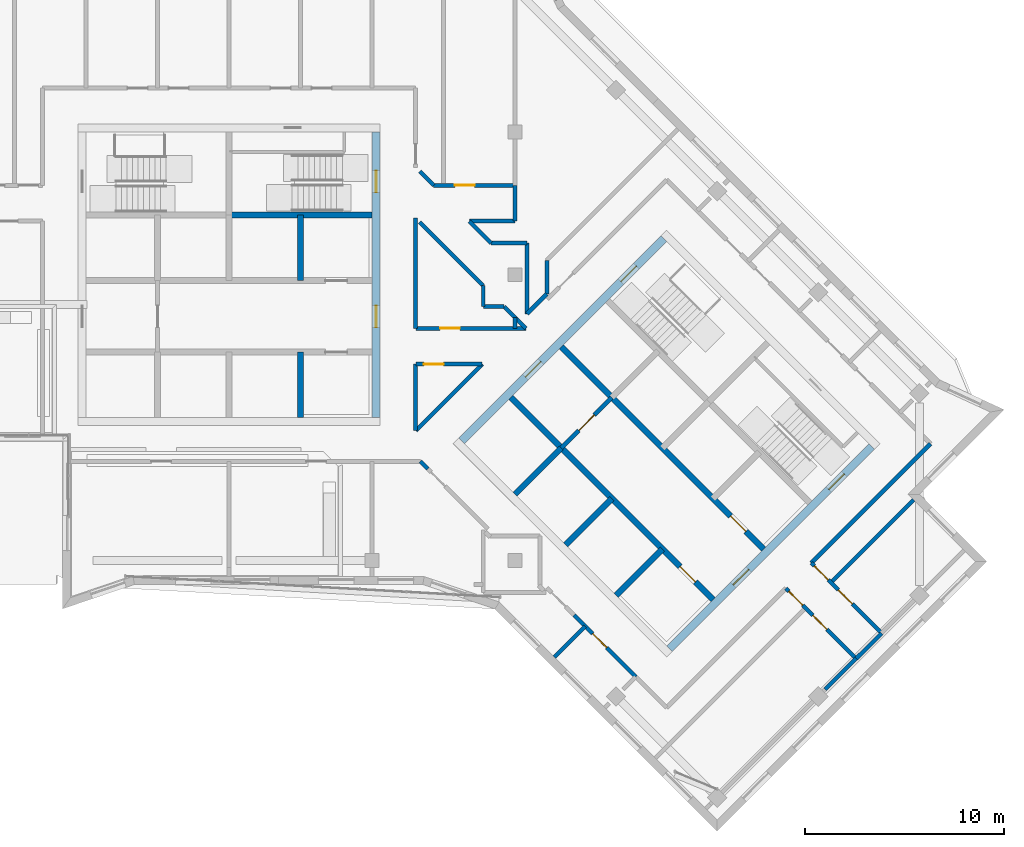
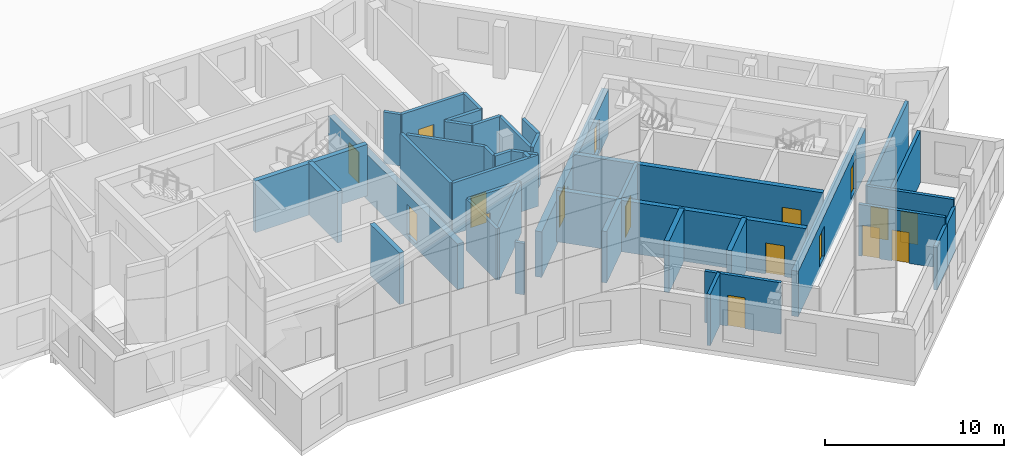
# One storey, part 13 of 20: 40 walls, 17 doors, 17 openings.
"""IFC4 building model written with IfcOpenShell, lengths in metres."""

import ifcopenshell
import ifcopenshell.guid

model = None  # the IFC model being written
_history = None  # IfcOwnerHistory: only IFC2X3 demands one
_inside = {}  # id of a spatial element -> (the spatial element, [elements in it])
_under = {}  # id of a project, library or spatial element -> (it, [spatial elements below it])
_declared = {}  # id of a project -> (the project, [libraries it declares])
_typed = {}  # id of a type object -> (the type object, [elements of that type])
_made_of = {}  # id of a material, layer set ... -> (it, [elements and type objects made of it])


def new_model(schema):
    """Start an empty IFC model of exactly this schema.

    Asked for "IFC4X3", IfcOpenShell would pick the latest addendum, in which some entities
    have other attributes; the version numbers below select the first issue.
    IFC2X3 requires an IfcOwnerHistory on every rooted entity: one is made here for all.
    """
    global model, _history
    if schema == "IFC4X3":
        model = ifcopenshell.file(schema_version=(4, 3, 0, 0))
    else:
        model = ifcopenshell.file(schema=schema)
    _inside.clear()
    _under.clear()
    _declared.clear()
    _typed.clear()
    _made_of.clear()
    _history = None
    if model.schema == "IFC2X3":
        org = make("IfcOrganization", Name="unknown")
        user = make(
            "IfcPersonAndOrganization",
            ThePerson=make("IfcPerson", FamilyName="unknown"),
            TheOrganization=org,
        )
        app = make(
            "IfcApplication",
            ApplicationDeveloper=org,
            Version="unknown",
            ApplicationFullName="unknown",
            ApplicationIdentifier="unknown",
        )
        _history = make(
            "IfcOwnerHistory",
            OwningUser=user,
            OwningApplication=app,
            ChangeAction="ADDED",
            CreationDate=0,
        )
    return model


def make(cls, **values):
    """One entity of the class cls with the attributes given. An attribute that is None is left unset."""
    return model.create_entity(
        cls, **{name: value for name, value in values.items() if value is not None}
    )


def rooted(cls, **values):
    """An entity with a GlobalId (a new one), such as an element, a storey or a relation."""
    return make(cls, GlobalId=ifcopenshell.guid.new(), OwnerHistory=_history, **values)


def si_unit(unit_type, name, prefix=None):
    """IfcSIUnit, for example si_unit("LENGTHUNIT", "METRE", prefix="MILLI")."""
    return make("IfcSIUnit", UnitType=unit_type, Prefix=prefix, Name=name)


def assignment(units):
    """IfcUnitAssignment: the units of a project."""
    return None if units is None else make("IfcUnitAssignment", Units=units)


def point(xyz):
    """IfcCartesianPoint."""
    return None if xyz is None else make("IfcCartesianPoint", Coordinates=xyz)


def direction(xyz):
    """IfcDirection."""
    return None if xyz is None else make("IfcDirection", DirectionRatios=xyz)


def frame(location, z_axis=None, x_axis=None):
    """IfcAxis2Placement3D, a coordinate frame: its origin and axes. An axis left out is left unset."""
    return make(
        "IfcAxis2Placement3D",
        Location=point(location),
        Axis=direction(z_axis),
        RefDirection=direction(x_axis),
    )


def frame_2d(location, x_axis=None):
    """IfcAxis2Placement2D, a coordinate frame in the plane: its origin and x axis."""
    return make(
        "IfcAxis2Placement2D", Location=point(location), RefDirection=direction(x_axis)
    )


def origin():
    """The frame at (0, 0, 0) with its axes left unset."""
    return frame((0.0, 0.0, 0.0))


def place(relative_to, where):
    """IfcLocalPlacement: puts the frame where relative to a parent placement (None: the world)."""
    return make(
        "IfcLocalPlacement", PlacementRelTo=relative_to, RelativePlacement=where
    )


def context(
    kind, dimensions, precision=None, world=None, true_north=None, identifier=None
):
    """IfcGeometricRepresentationContext, for example the 3D "Model" context."""
    return make(
        "IfcGeometricRepresentationContext",
        ContextIdentifier=identifier,
        ContextType=kind,
        CoordinateSpaceDimension=dimensions,
        Precision=precision,
        WorldCoordinateSystem=world,
        TrueNorth=true_north,
    )


def subcontext(parent, identifier, kind, view, scale=None):
    """IfcGeometricRepresentationSubContext, for example "Body" below "Model"."""
    return make(
        "IfcGeometricRepresentationSubContext",
        ContextIdentifier=identifier,
        ContextType=kind,
        ParentContext=parent,
        TargetScale=scale,
        TargetView=view,
    )


def project(units=None, contexts=None):
    """IfcProject with its units and contexts."""
    return rooted(
        "IfcProject",
        Name="project",
        RepresentationContexts=contexts,
        UnitsInContext=assignment(units),
    )


def spatial(cls, under=None, at=None, **own):
    """A site, building, storey or space (cls), placed at a placement, below another one or the project."""
    s = rooted(cls, ObjectPlacement=at, **own)
    if under is not None:
        _under.setdefault(under.id(), (under, []))[1].append(s)
    return s


def polyline(points):
    """IfcPolyline through the points."""
    return make("IfcPolyline", Points=[point(p) for p in points])


def profile(cls, at=None, kind="AREA", **sizes):
    """A parametric profile (cls). Its sizes go by their IFC names, for example OverallWidth=200.0."""
    return make(cls, ProfileType=kind, Position=at, **sizes)


def rectangle(**sizes):
    """IfcRectangleProfileDef."""
    return profile("IfcRectangleProfileDef", **sizes)


def outline(outer, holes=None, kind="AREA"):
    """IfcArbitraryClosedProfileDef: a profile drawn as a closed curve; with holes, ...WithVoids."""
    if holes is None:
        return make("IfcArbitraryClosedProfileDef", ProfileType=kind, OuterCurve=outer)
    return make(
        "IfcArbitraryProfileDefWithVoids",
        ProfileType=kind,
        OuterCurve=outer,
        InnerCurves=holes,
    )


def extrude(swept, where, along, depth):
    """IfcExtrudedAreaSolid: the profile swept, set in the frame where, extruded along a direction by depth."""
    return make(
        "IfcExtrudedAreaSolid",
        SweptArea=swept,
        Position=where,
        ExtrudedDirection=direction(along),
        Depth=depth,
    )


def shape(context_of_items, identifier, shape_type, items):
    """IfcShapeRepresentation: the items that make up one representation, for example the "Body"."""
    return make(
        "IfcShapeRepresentation",
        ContextOfItems=context_of_items,
        RepresentationIdentifier=identifier,
        RepresentationType=shape_type,
        Items=items,
    )


def material(Name=None, Category=None):
    """IfcMaterial."""
    return make("IfcMaterial", Name=Name, Category=Category)


def layer(
    of_material, thickness, ventilated=None, Name=None, Category=None, Priority=None
):
    """IfcMaterialLayer: one layer of a wall or slab, of a material (None: an air gap)."""
    return make(
        "IfcMaterialLayer",
        Material=of_material,
        LayerThickness=thickness,
        IsVentilated=ventilated,
        Name=Name,
        Category=Category,
        Priority=Priority,
    )


def layer_set(layers, Name=None):
    """IfcMaterialLayerSet."""
    return make("IfcMaterialLayerSet", MaterialLayers=layers, LayerSetName=Name)


def made_of(thing, what):
    """Note that an element or type object is made of a material, layer set ...; save() writes the relation."""
    if what is not None:
        _made_of.setdefault(what.id(), (what, []))[1].append(thing)
    return thing


def type_object(cls, material=None, **own):
    """A type object (cls), such as IfcWallType, which elements share."""
    return made_of(rooted(cls, **own), material)


def element(
    cls,
    number,
    at=None,
    inside=None,
    cuts=None,
    type_object=None,
    material=None,
    context=None,
    identifier="Body",
    shape_type=None,
    held_by="IfcProductDefinitionShape",
    body=None,
    shapes=None,
    **own,
):
    """One element of the class cls, such as IfcWall. Its Tag is "e" and its number.

    at: its placement. inside: the storey or other place that contains it. cuts: it is an
    opening in that element (IfcRelVoidsElement). A single representation is given by context,
    identifier, shape_type and body (its items); several are given by shapes. held_by: the class
    of the entity that holds the representations. save() writes the other relations.
    """
    e = rooted(cls, Tag="e%d" % number, ObjectPlacement=at, **own)
    if body is not None:
        shapes = [shape(context, identifier, shape_type, body)]
    if shapes is not None:
        e.Representation = make(held_by, Representations=shapes)
    if inside is not None:
        _inside.setdefault(inside.id(), (inside, []))[1].append(e)
    if cuts is not None:
        rooted(
            "IfcRelVoidsElement", RelatingBuildingElement=cuts, RelatedOpeningElement=e
        )
    if type_object is not None:
        _typed.setdefault(type_object.id(), (type_object, []))[1].append(e)
    return made_of(e, material)


def fill(opening, filler):
    """IfcRelFillsElement: the door or window that sits in an opening."""
    return rooted(
        "IfcRelFillsElement",
        RelatingOpeningElement=opening,
        RelatedBuildingElement=filler,
    )


def aggregate(whole, parts):
    """IfcRelAggregates: a whole, such as a stair, and the parts it consists of."""
    return rooted("IfcRelAggregates", RelatingObject=whole, RelatedObjects=parts)


def save(model, path):
    """Write the relations noted so far, then the file.

    IfcRelAggregates (storeys below a building ...), IfcRelContainedInSpatialStructure (elements
    in a storey), IfcRelDefinesByType, IfcRelAssociatesMaterial and IfcRelDeclares: one each for
    every whole, place, type object, material and project.
    """
    for whole, parts in _under.values():
        aggregate(whole, parts)
    for where, things in _inside.values():
        rooted(
            "IfcRelContainedInSpatialStructure",
            RelatedElements=things,
            RelatingStructure=where,
        )
    for kind, things in _typed.values():
        rooted("IfcRelDefinesByType", RelatedObjects=things, RelatingType=kind)
    for what, things in _made_of.values():
        rooted("IfcRelAssociatesMaterial", RelatedObjects=things, RelatingMaterial=what)
    for by, libraries in _declared.values():
        rooted("IfcRelDeclares", RelatingContext=by, RelatedDefinitions=libraries)
    model.write(path)


model = new_model("IFC4")

# Units and contexts
model_context = context("Model", 3, precision=1e-05, world=origin(), true_north=direction((0.0, 1.0)))
body_context = subcontext(model_context, "Body", "Model", "MODEL_VIEW")
ifc_project = project(units=[si_unit("LENGTHUNIT", "METRE"), si_unit("AREAUNIT", "SQUARE_METRE"), si_unit("VOLUMEUNIT", "CUBIC_METRE"), si_unit("PLANEANGLEUNIT", "RADIAN"), si_unit("MASSUNIT", "GRAM", prefix="KILO")], contexts=[model_context])

# Site, building, storey
site_placement = place(None, origin())
site = spatial("IfcSite", under=ifc_project, at=site_placement, CompositionType="ELEMENT")
building_placement = place(site_placement, origin())
building = spatial("IfcBuilding", under=site, at=building_placement, Name="Windrow Commons", CompositionType="ELEMENT")
storey_placement = place(building_placement, frame((0.0, 0.0, 290.6)))
storey = spatial("IfcBuildingStorey", under=building, at=storey_placement, Name="L79", CompositionType="ELEMENT", Elevation=290.6)

# Wall, opening, door
ifc_material_1 = material(Name="Blockwork partition", Category="masonry")
ifc_layer_1 = layer(ifc_material_1, 0.2)
ifc_layer_set_1 = layer_set([ifc_layer_1], Name="Fire lobby partition 200")
wall_type_1 = type_object("IfcWallType", Name="Fire lobby partition 200", PredefinedType="PARTITIONING", material=ifc_layer_set_1)
wall_1_placement = place(storey_placement, frame((81.5335, 48.8776, 0.0), z_axis=(0.0, 0.0, 1.0), x_axis=(0.707092892, 0.7071206701, 0.0)))
wall_1 = element("IfcWall", 1, at=wall_1_placement, inside=storey, type_object=wall_type_1, Name="W-core-lobby-B-L79", PredefinedType="PARTITIONING", context=body_context, shape_type="SweptSolid", body=[
    extrude(rectangle(XDim=3.6, YDim=0.2, at=frame_2d((1.8, 0.0))), origin(), (0.0, 0.0, 1.0), 3.5),
])
opening_1_placement = place(wall_1_placement, frame((1.25, 0.0, 0.0)))
opening_1 = element("IfcOpeningElement", 2, at=opening_1_placement, cuts=wall_1, Name="Opening D6", PredefinedType="OPENING", context=body_context, shape_type="SweptSolid", body=[
    extrude(rectangle(XDim=1.1, YDim=2.1, at=frame_2d((0.55, 1.05))), frame((0.0, 0.11, 0.0), z_axis=(0.0, -1.0, 0.0), x_axis=(1.0, 0.0, 0.0)), (0.0, 0.0, 1.0), 0.22),
])
ifc_material_2 = material(Name="Steel fire door leaf", Category="steel")
door_type_1 = type_object("IfcDoorType", Name="Core lobby door 1100", OperationType="SINGLE_SWING_LEFT", PredefinedType="DOOR", material=ifc_material_2)
door_1_placement = place(opening_1_placement, origin())
door_1 = element("IfcDoor", 3, at=door_1_placement, inside=storey, type_object=door_type_1, Name="Lift lobby door", OperationType="DOUBLE_DOOR_SINGLE_SWING", OverallHeight=2.1, OverallWidth=1.1, PredefinedType="DOOR", context=body_context, shape_type="SweptSolid", body=[
    extrude(rectangle(XDim=1.1, YDim=2.1, at=frame_2d((0.55, 1.05))), frame((0.0, 0.025, 0.0), z_axis=(0.0, -1.0, 0.0), x_axis=(1.0, 0.0, 0.0)), (0.0, 0.0, 1.0), 0.05),
])
fill(opening_1, door_1)

# Walls
ifc_material_3 = material(Name="Blockwork partition", Category="masonry")
ifc_layer_2 = layer(ifc_material_3, 0.2)
ifc_layer_set_2 = layer_set([ifc_layer_2], Name="IW-CORRIDOR-200")
wall_type_2 = type_object("IfcWallType", Name="IW-CORRIDOR-200", PredefinedType="PARTITIONING", material=ifc_layer_set_2)
wall_2_placement = place(storey_placement, frame((94.1195, 43.0805, 0.0), z_axis=(0.0, 0.0, 1.0), x_axis=(0.7071067812, 0.7071067812, 0.0)))
element("IfcWall", 4, at=wall_2_placement, inside=storey, type_object=wall_type_2, Name="W-L79-W012", PredefinedType="PARTITIONING", context=body_context, shape_type="SweptSolid", body=[
    extrude(rectangle(XDim=8.4994, YDim=0.2, at=frame_2d((4.2497, 0.0))), origin(), (0.0, 0.0, 1.0), 3.5),
])
wall_3_placement = place(storey_placement, frame((74.2, 54.902, 0.0), z_axis=(0.0, 0.0, 1.0), x_axis=(0.0, 1.0, 0.0)))
element("IfcWall", 5, at=wall_3_placement, inside=storey, type_object=wall_type_2, Name="W-L79-W025", PredefinedType="PARTITIONING", context=body_context, shape_type="SweptSolid", body=[
    extrude(rectangle(XDim=5.55, YDim=0.2, at=frame_2d((2.775, 0.0))), origin(), (0.0, 0.0, 1.0), 3.5),
])

# Wall, opening, door
wall_4_placement = place(storey_placement, frame((74.202, 54.9, 0.0), z_axis=(0.0, 0.0, 1.0), x_axis=(1.0, 0.0, 0.0)))
wall_4 = element("IfcWall", 6, at=wall_4_placement, inside=storey, type_object=wall_type_2, Name="W-L79-W026", PredefinedType="PARTITIONING", context=body_context, shape_type="SweptSolid", body=[
    extrude(rectangle(XDim=5.55, YDim=0.2, at=frame_2d((2.775, 0.0))), origin(), (0.0, 0.0, 1.0), 3.5),
])
opening_2_placement = place(wall_4_placement, frame((1.2223, 0.0, 0.0)))
opening_2 = element("IfcOpeningElement", 7, at=opening_2_placement, cuts=wall_4, Name="Opening D410F", PredefinedType="OPENING", context=body_context, shape_type="SweptSolid", body=[
    extrude(rectangle(XDim=1.0, YDim=2.1, at=frame_2d((0.5, 1.05))), frame((0.0, 0.11, 0.0), z_axis=(0.0, -1.0, 0.0), x_axis=(1.0, 0.0, 0.0)), (0.0, 0.0, 1.0), 0.22),
])
ifc_material_4 = material(Name="Timber door leaf", Category="wood")
door_type_2 = type_object("IfcDoorType", Name="DT-SERVICE-1000", OperationType="SINGLE_SWING_LEFT", PredefinedType="DOOR", material=ifc_material_4)
door_2_placement = place(opening_2_placement, origin())
door_2 = element("IfcDoor", 8, at=door_2_placement, inside=storey, type_object=door_type_2, Name="D-L79-D004", OperationType="SINGLE_SWING_LEFT", OverallHeight=2.1, OverallWidth=1.0, PredefinedType="DOOR", context=body_context, shape_type="SweptSolid", body=[
    extrude(rectangle(XDim=1.0, YDim=2.1, at=frame_2d((0.5, 1.05))), frame((0.0, 0.025, 0.0), z_axis=(0.0, -1.0, 0.0), x_axis=(1.0, 0.0, 0.0)), (0.0, 0.0, 1.0), 0.05),
])
fill(opening_2, door_2)

# Wall, openings, doors
wall_5_placement = place(storey_placement, frame((94.1235, 43.0835, 0.0), z_axis=(0.0, 0.0, 1.0), x_axis=(0.7071067812, -0.7071067812, 0.0)))
wall_5 = element("IfcWall", 9, at=wall_5_placement, inside=storey, type_object=wall_type_2, Name="W-L79-W027", PredefinedType="PARTITIONING", context=body_context, shape_type="SweptSolid", body=[
    extrude(rectangle(XDim=5.0007, YDim=0.2, at=frame_2d((2.5004, 0.0))), origin(), (0.0, 0.0, 1.0), 3.5),
])
opening_3_placement = place(wall_5_placement, frame((0.2061, 0.0, 0.0)))
opening_3 = element("IfcOpeningElement", 10, at=opening_3_placement, cuts=wall_5, Name="Opening D410F", PredefinedType="OPENING", context=body_context, shape_type="SweptSolid", body=[
    extrude(rectangle(XDim=1.0, YDim=2.1, at=frame_2d((0.5, 1.05))), frame((0.0, 0.11, 0.0), z_axis=(0.0, -1.0, 0.0), x_axis=(1.0, 0.0, 0.0)), (0.0, 0.0, 1.0), 0.22),
])
opening_4_placement = place(wall_5_placement, frame((1.9254, 0.0, 0.0)))
opening_4 = element("IfcOpeningElement", 11, at=opening_4_placement, cuts=wall_5, Name="Opening D410F", PredefinedType="OPENING", context=body_context, shape_type="SweptSolid", body=[
    extrude(rectangle(XDim=1.0, YDim=2.1, at=frame_2d((0.5, 1.05))), frame((0.0, 0.11, 0.0), z_axis=(0.0, -1.0, 0.0), x_axis=(1.0, 0.0, 0.0)), (0.0, 0.0, 1.0), 0.22),
])
door_3_placement = place(opening_3_placement, origin())
door_3 = element("IfcDoor", 12, at=door_3_placement, inside=storey, type_object=door_type_2, Name="D-L79-D023", OperationType="SINGLE_SWING_LEFT", OverallHeight=2.1, OverallWidth=1.0, PredefinedType="DOOR", context=body_context, shape_type="SweptSolid", body=[
    extrude(rectangle(XDim=1.0, YDim=2.1, at=frame_2d((0.5, 1.05))), frame((0.0, 0.025, 0.0), z_axis=(0.0, -1.0, 0.0), x_axis=(1.0, 0.0, 0.0)), (0.0, 0.0, 1.0), 0.05),
])
fill(opening_3, door_3)
door_4_placement = place(opening_4_placement, origin())
door_4 = element("IfcDoor", 13, at=door_4_placement, inside=storey, type_object=door_type_2, Name="D-L79-D032", OperationType="SINGLE_SWING_RIGHT", OverallHeight=2.1, OverallWidth=1.0, PredefinedType="DOOR", context=body_context, shape_type="SweptSolid", body=[
    extrude(rectangle(XDim=1.0, YDim=2.1, at=frame_2d((0.5, 1.05))), frame((0.0, 0.025, 0.0), z_axis=(0.0, -1.0, 0.0), x_axis=(1.0, 0.0, 0.0)), (0.0, 0.0, 1.0), 0.05),
])
fill(opening_4, door_4)

wall_6_placement = place(storey_placement, frame((92.8446, 41.8026, 0.0), z_axis=(0.0, 0.0, 1.0), x_axis=(0.7071067812, -0.7071067812, 0.0)))
wall_6 = element("IfcWall", 14, at=wall_6_placement, inside=storey, type_object=wall_type_2, Name="W-L79-W028", PredefinedType="PARTITIONING", context=body_context, shape_type="SweptSolid", body=[
    extrude(rectangle(XDim=4.9978, YDim=0.2, at=frame_2d((2.4989, 0.0))), origin(), (0.0, 0.0, 1.0), 3.5),
])
opening_5_placement = place(wall_6_placement, frame((0.2047, 0.0, 0.0)))
opening_5 = element("IfcOpeningElement", 15, at=opening_5_placement, cuts=wall_6, Name="Opening D410F", PredefinedType="OPENING", context=body_context, shape_type="SweptSolid", body=[
    extrude(rectangle(XDim=1.0, YDim=2.1, at=frame_2d((0.5, 1.05))), frame((0.0, 0.11, 0.0), z_axis=(0.0, -1.0, 0.0), x_axis=(1.0, 0.0, 0.0)), (0.0, 0.0, 1.0), 0.22),
])
opening_6_placement = place(wall_6_placement, frame((1.924, 0.0, 0.0)))
opening_6 = element("IfcOpeningElement", 16, at=opening_6_placement, cuts=wall_6, Name="Opening D410F", PredefinedType="OPENING", context=body_context, shape_type="SweptSolid", body=[
    extrude(rectangle(XDim=1.0, YDim=2.1, at=frame_2d((0.5, 1.05))), frame((0.0, 0.11, 0.0), z_axis=(0.0, -1.0, 0.0), x_axis=(1.0, 0.0, 0.0)), (0.0, 0.0, 1.0), 0.22),
])
door_5_placement = place(opening_5_placement, origin())
door_5 = element("IfcDoor", 17, at=door_5_placement, inside=storey, type_object=door_type_2, Name="D-L79-D030", OperationType="SINGLE_SWING_RIGHT", OverallHeight=2.1, OverallWidth=1.0, PredefinedType="DOOR", context=body_context, shape_type="SweptSolid", body=[
    extrude(rectangle(XDim=1.0, YDim=2.1, at=frame_2d((0.5, 1.05))), frame((0.0, 0.025, 0.0), z_axis=(0.0, -1.0, 0.0), x_axis=(1.0, 0.0, 0.0)), (0.0, 0.0, 1.0), 0.05),
])
fill(opening_5, door_5)
door_6_placement = place(opening_6_placement, origin())
door_6 = element("IfcDoor", 18, at=door_6_placement, inside=storey, type_object=door_type_2, Name="D-L79-D031", OperationType="SINGLE_SWING_LEFT", OverallHeight=2.1, OverallWidth=1.0, PredefinedType="DOOR", context=body_context, shape_type="SweptSolid", body=[
    extrude(rectangle(XDim=1.0, YDim=2.1, at=frame_2d((0.5, 1.05))), frame((0.0, 0.025, 0.0), z_axis=(0.0, -1.0, 0.0), x_axis=(1.0, 0.0, 0.0)), (0.0, 0.0, 1.0), 0.05),
])
fill(opening_6, door_6)

# Walls
wall_7_placement = place(storey_placement, frame((74.2009, 49.7491, 0.0), z_axis=(0.0, 0.0, 1.0), x_axis=(0.7071067812, 0.7071067812, 0.0)))
element("IfcWall", 19, at=wall_7_placement, inside=storey, type_object=wall_type_2, Name="W-L79-W032", PredefinedType="PARTITIONING", context=body_context, shape_type="SweptSolid", body=[
    extrude(rectangle(XDim=4.7376, YDim=0.2, at=frame_2d((2.3688, 0.0))), origin(), (0.0, 0.0, 1.0), 3.5),
])
wall_8_placement = place(storey_placement, frame((74.3966, 60.2506, 0.0), z_axis=(0.0, 0.0, 1.0), x_axis=(0.7071067812, -0.7071067812, 0.0)))
element("IfcWall", 20, at=wall_8_placement, inside=storey, type_object=wall_type_2, Name="W-L79-W039", PredefinedType="PARTITIONING", context=body_context, shape_type="SweptSolid", body=[
    extrude(rectangle(XDim=4.5255, YDim=0.2, at=frame_2d((2.2628, 0.0))), origin(), (0.0, 0.0, 1.0), 3.5),
])

# Wall, opening, door
wall_9_placement = place(storey_placement, frame((75.1, 62.1, 0.0), z_axis=(0.0, 0.0, 1.0), x_axis=(1.0, 0.0, 0.0)))
wall_9 = element("IfcWall", 21, at=wall_9_placement, inside=storey, type_object=wall_type_2, Name="W-L79-W041", PredefinedType="PARTITIONING", context=body_context, shape_type="SweptSolid", body=[
    extrude(rectangle(XDim=4.1, YDim=0.2, at=frame_2d((2.05, 0.0))), origin(), (0.0, 0.0, 1.0), 3.5),
])
opening_7_placement = place(wall_9_placement, frame((1.0675, 0.0, 0.0)))
opening_7 = element("IfcOpeningElement", 22, at=opening_7_placement, cuts=wall_9, Name="Opening D410F", PredefinedType="OPENING", context=body_context, shape_type="SweptSolid", body=[
    extrude(rectangle(XDim=1.0, YDim=2.1, at=frame_2d((0.5, 1.05))), frame((0.0, 0.11, 0.0), z_axis=(0.0, -1.0, 0.0), x_axis=(1.0, 0.0, 0.0)), (0.0, 0.0, 1.0), 0.22),
])
door_7_placement = place(opening_7_placement, origin())
door_7 = element("IfcDoor", 23, at=door_7_placement, inside=storey, type_object=door_type_2, Name="D-L79-D015", OperationType="SINGLE_SWING_LEFT", OverallHeight=2.1, OverallWidth=1.0, PredefinedType="DOOR", context=body_context, shape_type="SweptSolid", body=[
    extrude(rectangle(XDim=1.0, YDim=2.1, at=frame_2d((0.5, 1.05))), frame((0.0, 0.025, 0.0), z_axis=(0.0, -1.0, 0.0), x_axis=(1.0, 0.0, 0.0)), (0.0, 0.0, 1.0), 0.05),
])
fill(opening_7, door_7)

wall_10_placement = place(storey_placement, frame((82.1803, 40.4603, 0.0), z_axis=(0.0, 0.0, 1.0), x_axis=(0.7071067812, -0.7071067812, 0.0)))
wall_10 = element("IfcWall", 24, at=wall_10_placement, inside=storey, type_object=wall_type_2, Name="W-L79-W044", PredefinedType="PARTITIONING", context=body_context, shape_type="SweptSolid", body=[
    extrude(rectangle(XDim=4.3911, YDim=0.2, at=frame_2d((2.1955, 0.0))), origin(), (0.0, 0.0, 1.0), 3.5),
])
opening_8_placement = place(wall_10_placement, frame((1.3156, 0.0, 0.0)))
opening_8 = element("IfcOpeningElement", 25, at=opening_8_placement, cuts=wall_10, Name="Opening D410F", PredefinedType="OPENING", context=body_context, shape_type="SweptSolid", body=[
    extrude(rectangle(XDim=1.0, YDim=2.1, at=frame_2d((0.5, 1.05))), frame((0.0, 0.11, 0.0), z_axis=(0.0, -1.0, 0.0), x_axis=(1.0, 0.0, 0.0)), (0.0, 0.0, 1.0), 0.22),
])
door_8_placement = place(opening_8_placement, origin())
door_8 = element("IfcDoor", 26, at=door_8_placement, inside=storey, type_object=door_type_2, Name="D-L79-D029", OperationType="SINGLE_SWING_LEFT", OverallHeight=2.1, OverallWidth=1.0, PredefinedType="DOOR", context=body_context, shape_type="SweptSolid", body=[
    extrude(rectangle(XDim=1.0, YDim=2.1, at=frame_2d((0.5, 1.05))), frame((0.0, 0.025, 0.0), z_axis=(0.0, -1.0, 0.0), x_axis=(1.0, 0.0, 0.0)), (0.0, 0.0, 1.0), 0.05),
])
fill(opening_8, door_8)

# Walls
wall_11_placement = place(storey_placement, frame((79.8, 55.632, 0.0), z_axis=(0.0, 0.0, 1.0), x_axis=(0.0, 1.0, 0.0)))
element("IfcWall", 27, at=wall_11_placement, inside=storey, type_object=wall_type_2, Name="W-L79-W045", PredefinedType="PARTITIONING", context=body_context, shape_type="SweptSolid", body=[
    extrude(rectangle(XDim=3.568, YDim=0.2, at=frame_2d((1.784, 0.0))), origin(), (0.0, 0.0, 1.0), 3.5),
])
wall_12_placement = place(storey_placement, frame((74.2, 49.75, 0.0), z_axis=(0.0, 0.0, 1.0), x_axis=(0.0, 1.0, 0.0)))
element("IfcWall", 28, at=wall_12_placement, inside=storey, type_object=wall_type_2, Name="W-L79-W046", PredefinedType="PARTITIONING", context=body_context, shape_type="SweptSolid", body=[
    extrude(rectangle(XDim=3.35, YDim=0.2, at=frame_2d((1.675, 0.0))), origin(), (0.0, 0.0, 1.0), 3.5),
])

# Wall, opening, door
wall_13_placement = place(storey_placement, frame((74.202, 53.1, 0.0), z_axis=(0.0, 0.0, 1.0), x_axis=(1.0, 0.0, 0.0)))
wall_13 = element("IfcWall", 29, at=wall_13_placement, inside=storey, type_object=wall_type_2, Name="W-L79-W047", PredefinedType="PARTITIONING", context=body_context, shape_type="SweptSolid", body=[
    extrude(rectangle(XDim=3.348, YDim=0.2, at=frame_2d((1.674, 0.0))), origin(), (0.0, 0.0, 1.0), 3.5),
])
opening_9_placement = place(wall_13_placement, frame((0.4019, 0.0, 0.0)))
opening_9 = element("IfcOpeningElement", 30, at=opening_9_placement, cuts=wall_13, Name="Opening D410F", PredefinedType="OPENING", context=body_context, shape_type="SweptSolid", body=[
    extrude(rectangle(XDim=1.0, YDim=2.1, at=frame_2d((0.5, 1.05))), frame((0.0, 0.11, 0.0), z_axis=(0.0, -1.0, 0.0), x_axis=(1.0, 0.0, 0.0)), (0.0, 0.0, 1.0), 0.22),
])
door_9_placement = place(opening_9_placement, origin())
door_9 = element("IfcDoor", 31, at=door_9_placement, inside=storey, type_object=door_type_2, Name="D-L79-D003", OperationType="SINGLE_SWING_RIGHT", OverallHeight=2.1, OverallWidth=1.0, PredefinedType="DOOR", context=body_context, shape_type="SweptSolid", body=[
    extrude(rectangle(XDim=1.0, YDim=2.1, at=frame_2d((0.5, 1.05))), frame((0.0, 0.025, 0.0), z_axis=(0.0, -1.0, 0.0), x_axis=(1.0, 0.0, 0.0)), (0.0, 0.0, 1.0), 0.05),
])
fill(opening_9, door_9)

# Walls
wall_14_placement = place(storey_placement, frame((76.902, 60.3, 0.0), z_axis=(0.0, 0.0, 1.0), x_axis=(1.0, 0.0, 0.0)))
element("IfcWall", 32, at=wall_14_placement, inside=storey, type_object=wall_type_2, Name="W-L79-W063", PredefinedType="PARTITIONING", context=body_context, shape_type="SweptSolid", body=[
    extrude(rectangle(XDim=2.298, YDim=0.2, at=frame_2d((1.149, 0.0))), origin(), (0.0, 0.0, 1.0), 3.5),
])
wall_15_placement = place(storey_placement, frame((96.3854, 38.2686, 0.0), z_axis=(0.0, 0.0, 1.0), x_axis=(0.7076620277, 0.7065510983, 0.0)))
element("IfcWall", 33, at=wall_15_placement, inside=storey, type_object=wall_type_2, Name="W-L79-W068", PredefinedType="PARTITIONING", context=body_context, shape_type="SweptSolid", body=[
    extrude(rectangle(XDim=1.8003, YDim=0.2, at=frame_2d((0.9002, 0.0))), origin(), (0.0, 0.0, 1.0), 3.0),
])
for number, where, z_axis, x_axis, name in (
    (34, (79.2, 60.3, 0.0), (0.0, 0.0, 1.0), (0.0, 1.0, 0.0), "W-L79-W070"),
    (35, (78.0, 59.2, 0.0), (0.0, 0.0, 1.0), (1.0, 0.0, 0.0), "W-L79-W071"),
):
    element("IfcWall", number, at=place(storey_placement, frame(where, z_axis=z_axis, x_axis=x_axis)), inside=storey, type_object=wall_type_2, Name=name, PredefinedType="PARTITIONING", context=body_context, shape_type="SweptSolid", body=[
        extrude(rectangle(XDim=1.8, YDim=0.2, at=frame_2d((0.9, 0.0))), origin(), (0.0, 0.0, 1.0), 3.5),
    ])
for number, where, z_axis, x_axis, name in (
    (36, (76.8974, 60.2954, 0.0), (0.0, 0.0, 1.0), (0.7071067812, -0.7071067812, 0.0), "W-L79-W073"),
    (37, (78.6506, 55.9966, 0.0), (0.0, 0.0, 1.0), (0.7071067812, -0.7071067812, 0.0), "W-L79-W074"),
):
    element("IfcWall", number, at=place(storey_placement, frame(where, z_axis=z_axis, x_axis=x_axis)), inside=storey, type_object=wall_type_2, Name=name, PredefinedType="PARTITIONING", context=body_context, shape_type="SweptSolid", body=[
        extrude(rectangle(XDim=1.5528, YDim=0.2, at=frame_2d((0.7764, 0.0))), origin(), (0.0, 0.0, 1.0), 3.5),
    ])
wall_16_placement = place(storey_placement, frame((79.8015, 55.6325, 0.0), z_axis=(0.0, 0.0, 1.0), x_axis=(0.7071067812, 0.7071067812, 0.0)))
element("IfcWall", 38, at=wall_16_placement, inside=storey, type_object=wall_type_2, Name="W-L79-W076", PredefinedType="PARTITIONING", context=body_context, shape_type="SweptSolid", body=[
    extrude(rectangle(XDim=1.4114, YDim=0.2, at=frame_2d((0.7057, 0.0))), origin(), (0.0, 0.0, 1.0), 3.5),
])
for number, where, z_axis, x_axis, name in (
    (39, (77.6, 56.002, 0.0), (0.0, 0.0, 1.0), (0.0, 1.0, 0.0), "W-L79-W078"),
    (40, (77.602, 56.0, 0.0), (0.0, 0.0, 1.0), (1.0, 0.0, 0.0), "W-L79-W079"),
):
    element("IfcWall", number, at=place(storey_placement, frame(where, z_axis=z_axis, x_axis=x_axis)), inside=storey, type_object=wall_type_2, Name=name, PredefinedType="PARTITIONING", context=body_context, shape_type="SweptSolid", body=[
        extrude(rectangle(XDim=1.052, YDim=0.2, at=frame_2d((0.526, 0.0))), origin(), (0.0, 0.0, 1.0), 3.5),
    ])
wall_17_placement = place(storey_placement, frame((74.4035, 62.8035, 0.0), z_axis=(0.0, 0.0, 1.0), x_axis=(0.7071067812, -0.7071067812, 0.0)))
element("IfcWall", 41, at=wall_17_placement, inside=storey, type_object=wall_type_2, Name="W-L79-W080", PredefinedType="PARTITIONING", context=body_context, shape_type="SweptSolid", body=[
    extrude(rectangle(XDim=0.9899, YDim=0.2, at=frame_2d((0.495, 0.0))), origin(), (0.0, 0.0, 1.0), 3.5),
])
wall_18_placement = place(storey_placement, frame((74.4315, 48.1976, 0.0), z_axis=(0.0, 0.0, 1.0), x_axis=(0.7052581455, -0.7089505965, 0.0)))
element("IfcWall", 42, at=wall_18_placement, inside=storey, type_object=wall_type_2, Name="W-L79-W103", PredefinedType="PARTITIONING", context=body_context, shape_type="SweptSolid", body=[
    extrude(rectangle(XDim=0.5416, YDim=0.2, at=frame_2d((0.2708, 0.0))), origin(), (0.0, 0.0, 1.0), 3.5),
])
ifc_material_5 = material(Name="Blockwork partition", Category="masonry")
ifc_layer_3 = layer(ifc_material_5, 0.2)
ifc_layer_set_3 = layer_set([ifc_layer_3], Name="IW-PARTY-200")
wall_type_3 = type_object("IfcWallType", Name="IW-PARTY-200", PredefinedType="PARTITIONING", material=ifc_layer_set_3)
wall_19_placement = place(storey_placement, frame((94.8233, 36.7127, 0.0), z_axis=(0.0, 0.0, 1.0), x_axis=(0.7066530715, 0.7075602, 0.0)))
element("IfcWall", 43, at=wall_19_placement, inside=storey, type_object=wall_type_3, Name="W-L79-W065", PredefinedType="PARTITIONING", context=body_context, shape_type="SweptSolid", body=[
    extrude(rectangle(XDim=2.2048, YDim=0.2, at=frame_2d((1.1024, 0.0))), origin(), (0.0, 0.0, 1.0), 3.0),
])
wall_20_placement = place(storey_placement, frame((80.8, 56.63, 0.0), z_axis=(0.0, 0.0, 1.0), x_axis=(0.0, 1.0, 0.0)))
element("IfcWall", 44, at=wall_20_placement, inside=storey, type_object=wall_type_3, Name="W-L79-W072", PredefinedType="PARTITIONING", context=body_context, shape_type="SweptSolid", body=[
    extrude(rectangle(XDim=1.696, YDim=0.2, at=frame_2d((0.848, 0.0))), origin(), (0.0, 0.0, 1.0), 3.5),
])
wall_21_placement = place(storey_placement, frame((79.2, 54.9, 0.0), z_axis=(0.0, 0.0, 1.0), x_axis=(0.0, 1.0, 0.0)))
element("IfcWall", 45, at=wall_21_placement, inside=storey, type_object=wall_type_3, Name="W-L79-W102", PredefinedType="PARTITIONING", context=body_context, shape_type="SweptSolid", body=[
    extrude(rectangle(XDim=0.554, YDim=0.2, at=frame_2d((0.277, 0.0))), origin(), (0.0, 0.0, 1.0), 3.5),
])
wall_22_placement = place(storey_placement, frame((95.111, 42.089, 0.0), z_axis=(0.0, 0.0, 1.0), x_axis=(0.7072762658, 0.7069372559, 0.0)))
element("IfcWall", 46, at=wall_22_placement, inside=storey, type_object=wall_type_3, Name="W-L79-W022", PredefinedType="PARTITIONING", context=body_context, shape_type="SweptSolid", body=[
    extrude(outline(polyline([(0.0, -0.1), (5.8995, -0.1), (5.8995, 0.1), (0.0, 0.1), (0.0, -0.1)])), origin(), (0.0, 0.0, 1.0), 3.5),
])
wall_23_placement = place(storey_placement, frame((81.1791, 38.3425, 0.0), z_axis=(0.0, 0.0, 1.0), x_axis=(0.7071067812, 0.7071067812, 0.0)))
element("IfcWall", 47, at=wall_23_placement, inside=storey, type_object=wall_type_3, Name="W-L79-W055", PredefinedType="PARTITIONING", context=body_context, shape_type="SweptSolid", body=[
    extrude(outline(polyline([(0.0, -0.1), (2.2008, -0.1), (2.2008, 0.1), (0.0, 0.1), (0.0, -0.1)])), origin(), (0.0, 0.0, 1.0), 3.5),
])

# Wall, openings, doors
ifc_material_6 = material(Name="Concrete C40/50", Category="concrete")
ifc_layer_4 = layer(ifc_material_6, 0.4)
ifc_layer_set_4 = layer_set([ifc_layer_4], Name="RC CORE WALL 400 C40/50")
wall_type_4 = type_object("IfcWallType", Name="RC CORE WALL 400 C40/50", PredefinedType="SHEAR", material=ifc_layer_set_4)
wall_24_placement = place(storey_placement, frame((72.2, 50.4, -0.3), z_axis=(0.0, 0.0, 1.0), x_axis=(0.0, 1.0, 0.0)))
wall_24 = element("IfcWall", 48, at=wall_24_placement, inside=storey, type_object=wall_type_4, Name="Core A wall outer-E", PredefinedType="SHEAR", context=body_context, shape_type="SweptSolid", body=[
    extrude(rectangle(XDim=14.4, YDim=0.4, at=frame_2d((7.2, 0.0))), origin(), (0.0, 0.0, 1.0), 3.1),
])
opening_10_placement = place(wall_24_placement, frame((4.55, 0.0, 0.3)))
opening_10 = element("IfcOpeningElement", 49, at=opening_10_placement, cuts=wall_24, Name="Opening D6", PredefinedType="OPENING", context=body_context, shape_type="SweptSolid", body=[
    extrude(rectangle(XDim=1.1, YDim=2.1, at=frame_2d((0.55, 1.05))), frame((0.0, 0.21, 0.0), z_axis=(0.0, -1.0, 0.0), x_axis=(1.0, 0.0, 0.0)), (0.0, 0.0, 1.0), 0.42),
])
opening_11_placement = place(wall_24_placement, frame((11.35, 0.0, 0.3)))
opening_11 = element("IfcOpeningElement", 50, at=opening_11_placement, cuts=wall_24, Name="Opening D7", PredefinedType="OPENING", context=body_context, shape_type="SweptSolid", body=[
    extrude(rectangle(XDim=1.1, YDim=2.1, at=frame_2d((0.55, 1.05))), frame((0.0, 0.21, 0.0), z_axis=(0.0, -1.0, 0.0), x_axis=(1.0, 0.0, 0.0)), (0.0, 0.0, 1.0), 0.42),
])
door_10_placement = place(opening_10_placement, origin())
door_10 = element("IfcDoor", 51, at=door_10_placement, inside=storey, type_object=door_type_1, Name="Lift lobby door", OperationType="DOUBLE_DOOR_SINGLE_SWING", OverallHeight=2.1, OverallWidth=1.1, PredefinedType="DOOR", context=body_context, shape_type="SweptSolid", body=[
    extrude(rectangle(XDim=1.1, YDim=2.1, at=frame_2d((0.55, 1.05))), frame((0.0, 0.025, 0.0), z_axis=(0.0, -1.0, 0.0), x_axis=(1.0, 0.0, 0.0)), (0.0, 0.0, 1.0), 0.05),
])
fill(opening_10, door_10)
ifc_material_7 = material(Name="Steel fire door leaf", Category="steel")
door_type_3 = type_object("IfcDoorType", Name="Stair door 1100", OperationType="SINGLE_SWING_LEFT", PredefinedType="DOOR", material=ifc_material_7)
door_11_placement = place(opening_11_placement, origin())
door_11 = element("IfcDoor", 52, at=door_11_placement, inside=storey, type_object=door_type_3, Name="Stair door", OperationType="SINGLE_SWING_RIGHT", OverallHeight=2.1, OverallWidth=1.1, PredefinedType="DOOR", context=body_context, shape_type="SweptSolid", body=[
    extrude(rectangle(XDim=1.1, YDim=2.1, at=frame_2d((0.55, 1.05))), frame((0.0, 0.025, 0.0), z_axis=(0.0, -1.0, 0.0), x_axis=(1.0, 0.0, 0.0)), (0.0, 0.0, 1.0), 0.05),
])
fill(opening_11, door_11)

wall_25_placement = place(storey_placement, frame((76.513, 49.2312, -0.3), z_axis=(0.0, 0.0, 1.0), x_axis=(0.7071067812, 0.7071067812, 0.0)))
wall_25 = element("IfcWall", 53, at=wall_25_placement, inside=storey, type_object=wall_type_4, Name="Core B wall outer-W", PredefinedType="SHEAR", context=body_context, shape_type="SweptSolid", body=[
    extrude(rectangle(XDim=14.3999, YDim=0.4, at=frame_2d((7.2, 0.0))), origin(), (0.0, 0.0, 1.0), 3.1),
])
opening_12_placement = place(wall_25_placement, frame((4.55, 0.0, 0.3)))
opening_12 = element("IfcOpeningElement", 54, at=opening_12_placement, cuts=wall_25, Name="Opening D6", PredefinedType="OPENING", context=body_context, shape_type="SweptSolid", body=[
    extrude(rectangle(XDim=1.1, YDim=2.1, at=frame_2d((0.55, 1.05))), frame((0.0, 0.21, 0.0), z_axis=(0.0, -1.0, 0.0), x_axis=(1.0, 0.0, 0.0)), (0.0, 0.0, 1.0), 0.42),
])
opening_13_placement = place(wall_25_placement, frame((11.35, 0.0, 0.3)))
opening_13 = element("IfcOpeningElement", 55, at=opening_13_placement, cuts=wall_25, Name="Opening D7", PredefinedType="OPENING", context=body_context, shape_type="SweptSolid", body=[
    extrude(rectangle(XDim=1.1, YDim=2.1, at=frame_2d((0.55, 1.05))), frame((0.0, 0.21, 0.0), z_axis=(0.0, -1.0, 0.0), x_axis=(1.0, 0.0, 0.0)), (0.0, 0.0, 1.0), 0.42),
])
door_12_placement = place(opening_12_placement, origin())
door_12 = element("IfcDoor", 56, at=door_12_placement, inside=storey, type_object=door_type_1, Name="Lift lobby door", OperationType="DOUBLE_DOOR_SINGLE_SWING", OverallHeight=2.1, OverallWidth=1.1, PredefinedType="DOOR", context=body_context, shape_type="SweptSolid", body=[
    extrude(rectangle(XDim=1.1, YDim=2.1, at=frame_2d((0.55, 1.05))), frame((0.0, 0.025, 0.0), z_axis=(0.0, -1.0, 0.0), x_axis=(1.0, 0.0, 0.0)), (0.0, 0.0, 1.0), 0.05),
])
fill(opening_12, door_12)
door_13_placement = place(opening_13_placement, origin())
door_13 = element("IfcDoor", 57, at=door_13_placement, inside=storey, type_object=door_type_3, Name="Stair door", OperationType="SINGLE_SWING_LEFT", OverallHeight=2.1, OverallWidth=1.1, PredefinedType="DOOR", context=body_context, shape_type="SweptSolid", body=[
    extrude(rectangle(XDim=1.1, YDim=2.1, at=frame_2d((0.55, 1.05))), frame((0.0, 0.025, 0.0), z_axis=(0.0, -1.0, 0.0), x_axis=(1.0, 0.0, 0.0)), (0.0, 0.0, 1.0), 0.05),
])
fill(opening_13, door_13)

wall_26_placement = place(storey_placement, frame((86.9782, 38.766, -0.3), z_axis=(0.0, 0.0, 1.0), x_axis=(0.7071067812, 0.7071067812, 0.0)))
wall_26 = element("IfcWall", 58, at=wall_26_placement, inside=storey, type_object=wall_type_4, Name="Core B wall outer-E", PredefinedType="SHEAR", context=body_context, shape_type="SweptSolid", body=[
    extrude(rectangle(XDim=14.3999, YDim=0.4, at=frame_2d((7.2, 0.0))), origin(), (0.0, 0.0, 1.0), 3.1),
])
opening_14_placement = place(wall_26_placement, frame((4.55, 0.0, 0.3)))
opening_14 = element("IfcOpeningElement", 59, at=opening_14_placement, cuts=wall_26, Name="Opening D6", PredefinedType="OPENING", context=body_context, shape_type="SweptSolid", body=[
    extrude(rectangle(XDim=1.1, YDim=2.1, at=frame_2d((0.55, 1.05))), frame((0.0, 0.21, 0.0), z_axis=(0.0, -1.0, 0.0), x_axis=(1.0, 0.0, 0.0)), (0.0, 0.0, 1.0), 0.42),
])
opening_15_placement = place(wall_26_placement, frame((11.35, 0.0, 0.3)))
opening_15 = element("IfcOpeningElement", 60, at=opening_15_placement, cuts=wall_26, Name="Opening D7", PredefinedType="OPENING", context=body_context, shape_type="SweptSolid", body=[
    extrude(rectangle(XDim=1.1, YDim=2.1, at=frame_2d((0.55, 1.05))), frame((0.0, 0.21, 0.0), z_axis=(0.0, -1.0, 0.0), x_axis=(1.0, 0.0, 0.0)), (0.0, 0.0, 1.0), 0.42),
])
door_14_placement = place(opening_14_placement, origin())
door_14 = element("IfcDoor", 61, at=door_14_placement, inside=storey, type_object=door_type_1, Name="Lift lobby door", OperationType="DOUBLE_DOOR_SINGLE_SWING", OverallHeight=2.1, OverallWidth=1.1, PredefinedType="DOOR", context=body_context, shape_type="SweptSolid", body=[
    extrude(rectangle(XDim=1.1, YDim=2.1, at=frame_2d((0.55, 1.05))), frame((0.0, 0.025, 0.0), z_axis=(0.0, -1.0, 0.0), x_axis=(1.0, 0.0, 0.0)), (0.0, 0.0, 1.0), 0.05),
])
fill(opening_14, door_14)
door_15_placement = place(opening_15_placement, origin())
door_15 = element("IfcDoor", 62, at=door_15_placement, inside=storey, type_object=door_type_3, Name="Stair door", OperationType="SINGLE_SWING_RIGHT", OverallHeight=2.1, OverallWidth=1.1, PredefinedType="DOOR", context=body_context, shape_type="SweptSolid", body=[
    extrude(rectangle(XDim=1.1, YDim=2.1, at=frame_2d((0.55, 1.05))), frame((0.0, 0.025, 0.0), z_axis=(0.0, -1.0, 0.0), x_axis=(1.0, 0.0, 0.0)), (0.0, 0.0, 1.0), 0.05),
])
fill(opening_15, door_15)

# Walls
ifc_material_8 = material(Name="Concrete C40/50", Category="concrete")
ifc_layer_5 = layer(ifc_material_8, 0.3)
ifc_layer_set_5 = layer_set([ifc_layer_5], Name="RC SHAFT WALL 300 C40/50")
wall_type_5 = type_object("IfcWallType", Name="RC SHAFT WALL 300 C40/50", PredefinedType="SOLIDWALL", material=ifc_layer_set_5)
for number, where, z_axis, x_axis, name in (
    (63, (68.4, 50.4, 0.0), (0.0, 0.0, 1.0), (0.0, 1.0, 0.0), "Core A wall shaft-S3"),
    (64, (68.4, 57.3, 0.0), (0.0, 0.0, 1.0), (0.0, 1.0, 0.0), "Core A wall shaft-N3"),
):
    element("IfcWall", number, at=place(storey_placement, frame(where, z_axis=z_axis, x_axis=x_axis)), inside=storey, type_object=wall_type_5, Name=name, PredefinedType="SOLIDWALL", context=body_context, shape_type="SweptSolid", body=[
        extrude(rectangle(XDim=3.3, YDim=0.3, at=frame_2d((1.65, 0.0))), origin(), (0.0, 0.0, 1.0), 3.5),
    ])
wall_27_placement = place(storey_placement, frame((64.8, 60.6, 0.0), z_axis=(0.0, 0.0, 1.0), x_axis=(1.0, 0.0, 0.0)))
element("IfcWall", 65, at=wall_27_placement, inside=storey, type_object=wall_type_5, Name="Core A wall stair-S2", PredefinedType="SOLIDWALL", context=body_context, shape_type="SweptSolid", body=[
    extrude(rectangle(XDim=7.2, YDim=0.3, at=frame_2d((3.6, 0.0))), origin(), (0.0, 0.0, 1.0), 3.5),
])
wall_28_placement = place(storey_placement, frame((79.2, 46.5442, 0.0), z_axis=(0.0, 0.0, 1.0), x_axis=(0.7071219326, 0.7070916295, 0.0)))
element("IfcWall", 66, at=wall_28_placement, inside=storey, type_object=wall_type_5, Name="Core B wall shaft-S1", PredefinedType="SOLIDWALL", context=body_context, shape_type="SweptSolid", body=[
    extrude(rectangle(XDim=3.3, YDim=0.3, at=frame_2d((1.65, 0.0))), origin(), (0.0, 0.0, 1.0), 3.5),
])
for number, where, z_axis, x_axis, name in (
    (67, (81.7456, 43.9986, 0.0), (0.0, 0.0, 1.0), (0.7071067812, 0.7071067812, 0.0), "Core B wall shaft-S2"),
    (68, (84.2912, 41.453, 0.0), (0.0, 0.0, 1.0), (0.7071067812, 0.7071067812, 0.0), "Core B wall shaft-S3"),
):
    element("IfcWall", number, at=place(storey_placement, frame(where, z_axis=z_axis, x_axis=x_axis)), inside=storey, type_object=wall_type_5, Name=name, PredefinedType="SOLIDWALL", context=body_context, shape_type="SweptSolid", body=[
        extrude(rectangle(XDim=3.2999, YDim=0.3, at=frame_2d((1.65, 0.0))), origin(), (0.0, 0.0, 1.0), 3.5),
    ])

# Wall, opening, door
wall_29_placement = place(storey_placement, frame((78.9879, 51.4232, 0.0), z_axis=(0.0, 0.0, 1.0), x_axis=(0.7071067812, -0.7071067812, 0.0)))
wall_29 = element("IfcWall", 69, at=wall_29_placement, inside=storey, type_object=wall_type_5, Name="Core B wall lobby-S", PredefinedType="SOLIDWALL", context=body_context, shape_type="SweptSolid", body=[
    extrude(rectangle(XDim=14.3999, YDim=0.3, at=frame_2d((7.2, 0.0))), origin(), (0.0, 0.0, 1.0), 3.5),
])
opening_16_placement = place(wall_29_placement, frame((12.05, 0.0, 0.0)))
opening_16 = element("IfcOpeningElement", 70, at=opening_16_placement, cuts=wall_29, Name="Opening LD", PredefinedType="OPENING", context=body_context, shape_type="SweptSolid", body=[
    extrude(rectangle(XDim=1.1, YDim=2.1, at=frame_2d((0.55, 1.05))), frame((0.0, 0.16, 0.0), z_axis=(0.0, -1.0, 0.0), x_axis=(1.0, 0.0, 0.0)), (0.0, 0.0, 1.0), 0.32),
])
ifc_material_9 = material(Name="Stainless steel door leaf", Category="steel")
door_type_4 = type_object("IfcDoorType", Name="Lift landing door 1100", OperationType="SLIDING_TO_LEFT", PredefinedType="DOOR", material=ifc_material_9)
door_16_placement = place(opening_16_placement, origin())
door_16 = element("IfcDoor", 71, at=door_16_placement, inside=storey, type_object=door_type_4, Name="Lift landing door", OperationType="SLIDING_TO_RIGHT", OverallHeight=2.1, OverallWidth=1.1, PredefinedType="DOOR", context=body_context, shape_type="SweptSolid", body=[
    extrude(rectangle(XDim=1.1, YDim=2.1, at=frame_2d((0.55, 1.05))), frame((0.0, 0.025, 0.0), z_axis=(0.0, -1.0, 0.0), x_axis=(1.0, 0.0, 0.0)), (0.0, 0.0, 1.0), 0.05),
])
fill(opening_16, door_16)

wall_30_placement = place(storey_placement, frame((81.5335, 53.9688, 0.0), z_axis=(0.0, 0.0, 1.0), x_axis=(0.707103309, -0.7071102534, 0.0)))
wall_30 = element("IfcWall", 72, at=wall_30_placement, inside=storey, type_object=wall_type_5, Name="Core B wall lobby-N", PredefinedType="SOLIDWALL", context=body_context, shape_type="SweptSolid", body=[
    extrude(rectangle(XDim=14.4, YDim=0.3, at=frame_2d((7.2, 0.0))), origin(), (0.0, 0.0, 1.0), 3.5),
])
opening_17_placement = place(wall_30_placement, frame((12.05, 0.0, 0.0)))
opening_17 = element("IfcOpeningElement", 73, at=opening_17_placement, cuts=wall_30, Name="Opening LD", PredefinedType="OPENING", context=body_context, shape_type="SweptSolid", body=[
    extrude(rectangle(XDim=1.1, YDim=2.1, at=frame_2d((0.55, 1.05))), frame((0.0, 0.16, 0.0), z_axis=(0.0, -1.0, 0.0), x_axis=(1.0, 0.0, 0.0)), (0.0, 0.0, 1.0), 0.32),
])
door_17_placement = place(opening_17_placement, origin())
door_17 = element("IfcDoor", 74, at=door_17_placement, inside=storey, type_object=door_type_4, Name="Lift landing door", OperationType="SLIDING_TO_RIGHT", OverallHeight=2.1, OverallWidth=1.1, PredefinedType="DOOR", context=body_context, shape_type="SweptSolid", body=[
    extrude(rectangle(XDim=1.1, YDim=2.1, at=frame_2d((0.55, 1.05))), frame((0.0, 0.025, 0.0), z_axis=(0.0, -1.0, 0.0), x_axis=(1.0, 0.0, 0.0)), (0.0, 0.0, 1.0), 0.05),
])
fill(opening_17, door_17)

save(model, "model.ifc")
